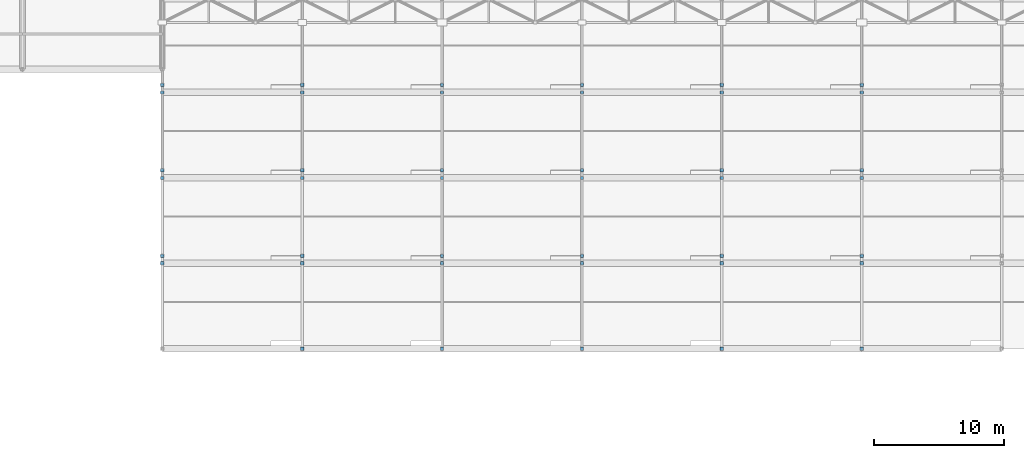
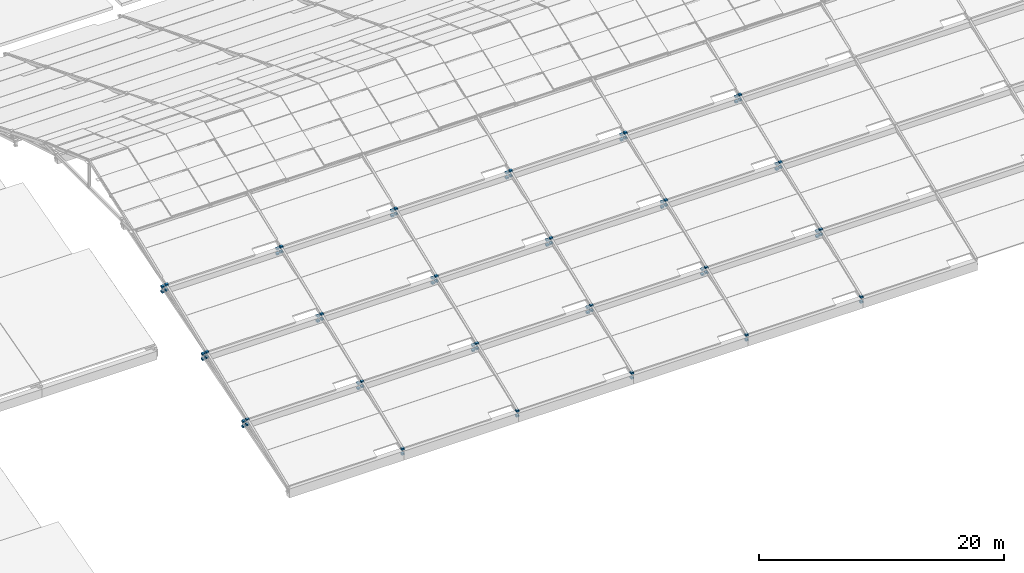
# One storey, part 106 of 112: 82 discrete accessories.
"""IFC4 building model written with IfcOpenShell, lengths in metres."""

from ifc_helpers import new_model, si_unit, direction, frame, origin, origin_2d, place, context, subcontext, project, spatial, rectangle, extrude, material, type_object, element, save


model = new_model("IFC4")

# Units and contexts
model_context = context("Model", 3, precision=1e-05, world=origin(), true_north=direction((0.0, 1.0)))
body_context = subcontext(model_context, "Body", "Model", "MODEL_VIEW")
ifc_project = project(units=[si_unit("LENGTHUNIT", "METRE"), si_unit("AREAUNIT", "SQUARE_METRE"), si_unit("VOLUMEUNIT", "CUBIC_METRE"), si_unit("PLANEANGLEUNIT", "RADIAN"), si_unit("MASSUNIT", "GRAM", prefix="KILO")], contexts=[model_context])

# Site, building, storey
site_placement = place(None, origin())
site = spatial("IfcSite", under=ifc_project, at=site_placement, CompositionType="ELEMENT")
building_placement = place(site_placement, origin())
building = spatial("IfcBuilding", under=site, at=building_placement, Name="Zwinboog Wholesale Market", CompositionType="ELEMENT")
storey_placement = place(building_placement, frame((0.0, 0.0, 19.080078125)))
storey = spatial("IfcBuildingStorey", under=building, at=storey_placement, Name="Roof", CompositionType="ELEMENT", Elevation=19.080078125)

# Discrete accessories
ifc_material = material(Name="Steel S355", Category="steel")
discrete_accessory_type = type_object("IfcDiscreteAccessoryType", Name="ACC-BRK-S355", PredefinedType="BRACKET", material=ifc_material)
for number, where, z_axis, x_axis, name in (
    (1, (64.800048828125, 50.39990234375, -7.9599609375), (0.0, 0.0, 1.0), (1.0, 0.0, 0.0), "BK-01 (ACC-BRC-0003)"),
    (2, (64.800048828125, 50.39990234375, -7.4599609375), (0.0, 0.0, 1.0), (1.0, 0.0, 0.0), "BK-01 (ACC-BRC-0004)"),
    (3, (64.800048828125, 49.800048828125, -7.41015625), (0.0, 0.0, 1.0), (1.0, 0.0, 0.0), "BK-01 (ACC-BRC-0005)"),
    (4, (64.800048828125, 49.800048828125, -6.91015625), (0.0, 0.0, 1.0), (1.0, 0.0, 0.0), "BK-01 (ACC-BRC-0006)"),
    (5, (64.800048828125, 57.0, -5.26025390625), (0.0, 0.0, 1.0), (1.0, 0.0, 0.0), "BK-01 (ACC-BRC-0007)"),
    (6, (64.800048828125, 57.0, -4.76025390625), (0.0, 0.0, 1.0), (1.0, 0.0, 0.0), "BK-01 (ACC-BRC-0008)"),
    (7, (64.800048828125, 56.39990234375, -4.7099609375), (0.0, 0.0, 1.0), (1.0, 0.0, 0.0), "BK-01 (ACC-BRC-0009)"),
    (8, (64.800048828125, 56.39990234375, -4.2099609375), (0.0, 0.0, 1.0), (1.0, 0.0, 0.0), "BK-01 (ACC-BRC-0010)"),
    (9, (64.800048828125, 63.60009765625, -2.56005859375), (0.0, 0.0, 1.0), (1.0, 0.0, 0.0), "BK-01 (ACC-BRC-0011)"),
    (10, (64.800048828125, 63.60009765625, -2.06005859375), (0.0, 0.0, 1.0), (1.0, 0.0, 0.0), "BK-01 (ACC-BRC-0012)"),
    (11, (64.800048828125, 63.0, -2.01025390625), (0.0, 0.0, 1.0), (1.0, 0.0, 0.0), "BK-01 (ACC-BRC-0013)"),
    (12, (64.800048828125, 63.0, -1.51025390625), (0.0, 0.0, 1.0), (1.0, 0.0, 0.0), "BK-01 (ACC-BRC-0014)"),
    (13, (75.60009765625, 43.199951171875, -10.10986328125), (0.0, 0.0, 1.0), (1.0, 0.0, 0.0), "BK-01 (ACC-BRC-0034)"),
    (14, (75.60009765625, 43.199951171875, -9.60986328125), (0.0, 0.0, 1.0), (1.0, 0.0, 0.0), "BK-01 (ACC-BRC-0035)"),
    (15, (75.60009765625, 50.39990234375, -7.9599609375), (0.0, 0.0, 1.0), (1.0, 0.0, 0.0), "BK-01 (ACC-BRC-0036)"),
    (16, (75.60009765625, 50.39990234375, -7.4599609375), (0.0, 0.0, 1.0), (1.0, 0.0, 0.0), "BK-01 (ACC-BRC-0037)"),
    (17, (75.60009765625, 49.800048828125, -7.41015625), (0.0, 0.0, 1.0), (1.0, 0.0, 0.0), "BK-01 (ACC-BRC-0038)"),
    (18, (75.60009765625, 49.800048828125, -6.91015625), (0.0, 0.0, 1.0), (1.0, 0.0, 0.0), "BK-01 (ACC-BRC-0039)"),
    (19, (75.60009765625, 57.0, -5.26025390625), (0.0, 0.0, 1.0), (1.0, 0.0, 0.0), "BK-01 (ACC-BRC-0040)"),
    (20, (75.60009765625, 57.0, -4.76025390625), (0.0, 0.0, 1.0), (1.0, 0.0, 0.0), "BK-01 (ACC-BRC-0041)"),
    (21, (75.60009765625, 56.39990234375, -4.7099609375), (0.0, 0.0, 1.0), (1.0, 0.0, 0.0), "BK-01 (ACC-BRC-0042)"),
    (22, (75.60009765625, 56.39990234375, -4.2099609375), (0.0, 0.0, 1.0), (1.0, 0.0, 0.0), "BK-01 (ACC-BRC-0043)"),
    (23, (75.60009765625, 63.60009765625, -2.56005859375), (0.0, 0.0, 1.0), (1.0, 0.0, 0.0), "BK-01 (ACC-BRC-0044)"),
    (24, (75.60009765625, 63.60009765625, -2.06005859375), (0.0, 0.0, 1.0), (1.0, 0.0, 0.0), "BK-01 (ACC-BRC-0045)"),
    (25, (75.60009765625, 63.0, -2.01025390625), (0.0, 0.0, 1.0), (1.0, 0.0, 0.0), "BK-01 (ACC-BRC-0046)"),
    (26, (75.60009765625, 63.0, -1.51025390625), (0.0, 0.0, 1.0), (1.0, 0.0, 0.0), "BK-01 (ACC-BRC-0047)"),
    (27, (86.39990234375, 43.199951171875, -10.10986328125), (0.0, 0.0, 1.0), (1.0, 0.0, 0.0), "BK-01 (ACC-BRC-0067)"),
    (28, (86.39990234375, 43.199951171875, -9.60986328125), (0.0, 0.0, 1.0), (1.0, 0.0, 0.0), "BK-01 (ACC-BRC-0068)"),
    (29, (86.39990234375, 50.39990234375, -7.9599609375), (0.0, 0.0, 1.0), (1.0, 0.0, 0.0), "BK-01 (ACC-BRC-0069)"),
    (30, (86.39990234375, 50.39990234375, -7.4599609375), (0.0, 0.0, 1.0), (1.0, 0.0, 0.0), "BK-01 (ACC-BRC-0070)"),
    (31, (86.39990234375, 49.800048828125, -7.41015625), (0.0, 0.0, 1.0), (1.0, 0.0, 0.0), "BK-01 (ACC-BRC-0071)"),
    (32, (86.39990234375, 49.800048828125, -6.91015625), (0.0, 0.0, 1.0), (1.0, 0.0, 0.0), "BK-01 (ACC-BRC-0072)"),
    (33, (86.39990234375, 57.0, -5.26025390625), (0.0, 0.0, 1.0), (1.0, 0.0, 0.0), "BK-01 (ACC-BRC-0073)"),
    (34, (86.39990234375, 57.0, -4.76025390625), (0.0, 0.0, 1.0), (1.0, 0.0, 0.0), "BK-01 (ACC-BRC-0074)"),
    (35, (86.39990234375, 56.39990234375, -4.7099609375), (0.0, 0.0, 1.0), (1.0, 0.0, 0.0), "BK-01 (ACC-BRC-0075)"),
    (36, (86.39990234375, 56.39990234375, -4.2099609375), (0.0, 0.0, 1.0), (1.0, 0.0, 0.0), "BK-01 (ACC-BRC-0076)"),
    (37, (86.39990234375, 63.60009765625, -2.56005859375), (0.0, 0.0, 1.0), (1.0, 0.0, 0.0), "BK-01 (ACC-BRC-0077)"),
    (38, (86.39990234375, 63.60009765625, -2.06005859375), (0.0, 0.0, 1.0), (1.0, 0.0, 0.0), "BK-01 (ACC-BRC-0078)"),
    (39, (86.39990234375, 63.0, -2.01025390625), (0.0, 0.0, 1.0), (1.0, 0.0, 0.0), "BK-01 (ACC-BRC-0079)"),
    (40, (86.39990234375, 63.0, -1.51025390625), (0.0, 0.0, 1.0), (1.0, 0.0, 0.0), "BK-01 (ACC-BRC-0080)"),
    (41, (97.199951171875, 43.199951171875, -10.10986328125), (0.0, 0.0, 1.0), (1.0, 0.0, 0.0), "BK-01 (ACC-BRC-0100)"),
    (42, (97.199951171875, 43.199951171875, -9.60986328125), (0.0, 0.0, 1.0), (1.0, 0.0, 0.0), "BK-01 (ACC-BRC-0101)"),
    (43, (97.199951171875, 50.39990234375, -7.9599609375), (0.0, 0.0, 1.0), (1.0, 0.0, 0.0), "BK-01 (ACC-BRC-0102)"),
    (44, (97.199951171875, 50.39990234375, -7.4599609375), (0.0, 0.0, 1.0), (1.0, 0.0, 0.0), "BK-01 (ACC-BRC-0103)"),
    (45, (97.199951171875, 49.800048828125, -7.41015625), (0.0, 0.0, 1.0), (1.0, 0.0, 0.0), "BK-01 (ACC-BRC-0104)"),
    (46, (97.199951171875, 49.800048828125, -6.91015625), (0.0, 0.0, 1.0), (1.0, 0.0, 0.0), "BK-01 (ACC-BRC-0105)"),
    (47, (97.199951171875, 57.0, -5.26025390625), (0.0, 0.0, 1.0), (1.0, 0.0, 0.0), "BK-01 (ACC-BRC-0106)"),
    (48, (97.199951171875, 57.0, -4.76025390625), (0.0, 0.0, 1.0), (1.0, 0.0, 0.0), "BK-01 (ACC-BRC-0107)"),
    (49, (97.199951171875, 56.39990234375, -4.7099609375), (0.0, 0.0, 1.0), (1.0, 0.0, 0.0), "BK-01 (ACC-BRC-0108)"),
    (50, (97.199951171875, 56.39990234375, -4.2099609375), (0.0, 0.0, 1.0), (1.0, 0.0, 0.0), "BK-01 (ACC-BRC-0109)"),
    (51, (97.199951171875, 63.60009765625, -2.56005859375), (0.0, 0.0, 1.0), (1.0, 0.0, 0.0), "BK-01 (ACC-BRC-0110)"),
    (52, (97.199951171875, 63.60009765625, -2.06005859375), (0.0, 0.0, 1.0), (1.0, 0.0, 0.0), "BK-01 (ACC-BRC-0111)"),
    (53, (97.199951171875, 63.0, -2.01025390625), (0.0, 0.0, 1.0), (1.0, 0.0, 0.0), "BK-01 (ACC-BRC-0112)"),
    (54, (97.199951171875, 63.0, -1.51025390625), (0.0, 0.0, 1.0), (1.0, 0.0, 0.0), "BK-01 (ACC-BRC-0113)"),
    (55, (108.0, 43.199951171875, -10.10986328125), (0.0, 0.0, 1.0), (1.0, 0.0, 0.0), "BK-01 (ACC-BRC-0133)"),
    (56, (108.0, 43.199951171875, -9.60986328125), (0.0, 0.0, 1.0), (1.0, 0.0, 0.0), "BK-01 (ACC-BRC-0134)"),
    (57, (108.0, 50.39990234375, -7.9599609375), (0.0, 0.0, 1.0), (1.0, 0.0, 0.0), "BK-01 (ACC-BRC-0135)"),
    (58, (108.0, 50.39990234375, -7.4599609375), (0.0, 0.0, 1.0), (1.0, 0.0, 0.0), "BK-01 (ACC-BRC-0136)"),
    (59, (108.0, 49.800048828125, -7.41015625), (0.0, 0.0, 1.0), (1.0, 0.0, 0.0), "BK-01 (ACC-BRC-0137)"),
    (60, (108.0, 49.800048828125, -6.91015625), (0.0, 0.0, 1.0), (1.0, 0.0, 0.0), "BK-01 (ACC-BRC-0138)"),
    (61, (108.0, 57.0, -5.26025390625), (0.0, 0.0, 1.0), (1.0, 0.0, 0.0), "BK-01 (ACC-BRC-0139)"),
    (62, (108.0, 57.0, -4.76025390625), (0.0, 0.0, 1.0), (1.0, 0.0, 0.0), "BK-01 (ACC-BRC-0140)"),
    (63, (108.0, 56.39990234375, -4.7099609375), (0.0, 0.0, 1.0), (1.0, 0.0, 0.0), "BK-01 (ACC-BRC-0141)"),
    (64, (108.0, 56.39990234375, -4.2099609375), (0.0, 0.0, 1.0), (1.0, 0.0, 0.0), "BK-01 (ACC-BRC-0142)"),
    (65, (108.0, 63.60009765625, -2.56005859375), (0.0, 0.0, 1.0), (1.0, 0.0, 0.0), "BK-01 (ACC-BRC-0143)"),
    (66, (108.0, 63.60009765625, -2.06005859375), (0.0, 0.0, 1.0), (1.0, 0.0, 0.0), "BK-01 (ACC-BRC-0144)"),
    (67, (108.0, 63.0, -2.01025390625), (0.0, 0.0, 1.0), (1.0, 0.0, 0.0), "BK-01 (ACC-BRC-0145)"),
    (68, (108.0, 63.0, -1.51025390625), (0.0, 0.0, 1.0), (1.0, 0.0, 0.0), "BK-01 (ACC-BRC-0146)"),
    (69, (118.800048828125, 43.199951171875, -10.10986328125), (0.0, 0.0, 1.0), (1.0, 0.0, 0.0), "BK-01 (ACC-BRC-0166)"),
    (70, (118.800048828125, 43.199951171875, -9.60986328125), (0.0, 0.0, 1.0), (1.0, 0.0, 0.0), "BK-01 (ACC-BRC-0167)"),
    (71, (118.800048828125, 50.39990234375, -7.9599609375), (0.0, 0.0, 1.0), (1.0, 0.0, 0.0), "BK-01 (ACC-BRC-0168)"),
    (72, (118.800048828125, 50.39990234375, -7.4599609375), (0.0, 0.0, 1.0), (1.0, 0.0, 0.0), "BK-01 (ACC-BRC-0169)"),
    (73, (118.800048828125, 49.800048828125, -7.41015625), (0.0, 0.0, 1.0), (1.0, 0.0, 0.0), "BK-01 (ACC-BRC-0170)"),
    (74, (118.800048828125, 49.800048828125, -6.91015625), (0.0, 0.0, 1.0), (1.0, 0.0, 0.0), "BK-01 (ACC-BRC-0171)"),
    (75, (118.800048828125, 57.0, -5.26025390625), (0.0, 0.0, 1.0), (1.0, 0.0, 0.0), "BK-01 (ACC-BRC-0172)"),
    (76, (118.800048828125, 57.0, -4.76025390625), (0.0, 0.0, 1.0), (1.0, 0.0, 0.0), "BK-01 (ACC-BRC-0173)"),
    (77, (118.800048828125, 56.39990234375, -4.7099609375), (0.0, 0.0, 1.0), (1.0, 0.0, 0.0), "BK-01 (ACC-BRC-0174)"),
    (78, (118.800048828125, 56.39990234375, -4.2099609375), (0.0, 0.0, 1.0), (1.0, 0.0, 0.0), "BK-01 (ACC-BRC-0175)"),
    (79, (118.800048828125, 63.60009765625, -2.56005859375), (0.0, 0.0, 1.0), (1.0, 0.0, 0.0), "BK-01 (ACC-BRC-0176)"),
    (80, (118.800048828125, 63.60009765625, -2.06005859375), (0.0, 0.0, 1.0), (1.0, 0.0, 0.0), "BK-01 (ACC-BRC-0177)"),
    (81, (118.800048828125, 63.0, -2.01025390625), (0.0, 0.0, 1.0), (1.0, 0.0, 0.0), "BK-01 (ACC-BRC-0178)"),
    (82, (118.800048828125, 63.0, -1.51025390625), (0.0, 0.0, 1.0), (1.0, 0.0, 0.0), "BK-01 (ACC-BRC-0179)"),
):
    element("IfcDiscreteAccessory", number, at=place(storey_placement, frame(where, z_axis=z_axis, x_axis=x_axis)), inside=storey, type_object=discrete_accessory_type, Name=name, PredefinedType="BRACKET", context=body_context, shape_type="SweptSolid", body=[
        extrude(rectangle(XDim=0.260009765625, YDim=0.260009765625, at=origin_2d()), origin(), (0.0, 0.0, 1.0), 0.159912109375),
    ])

save(model, "model.ifc")
